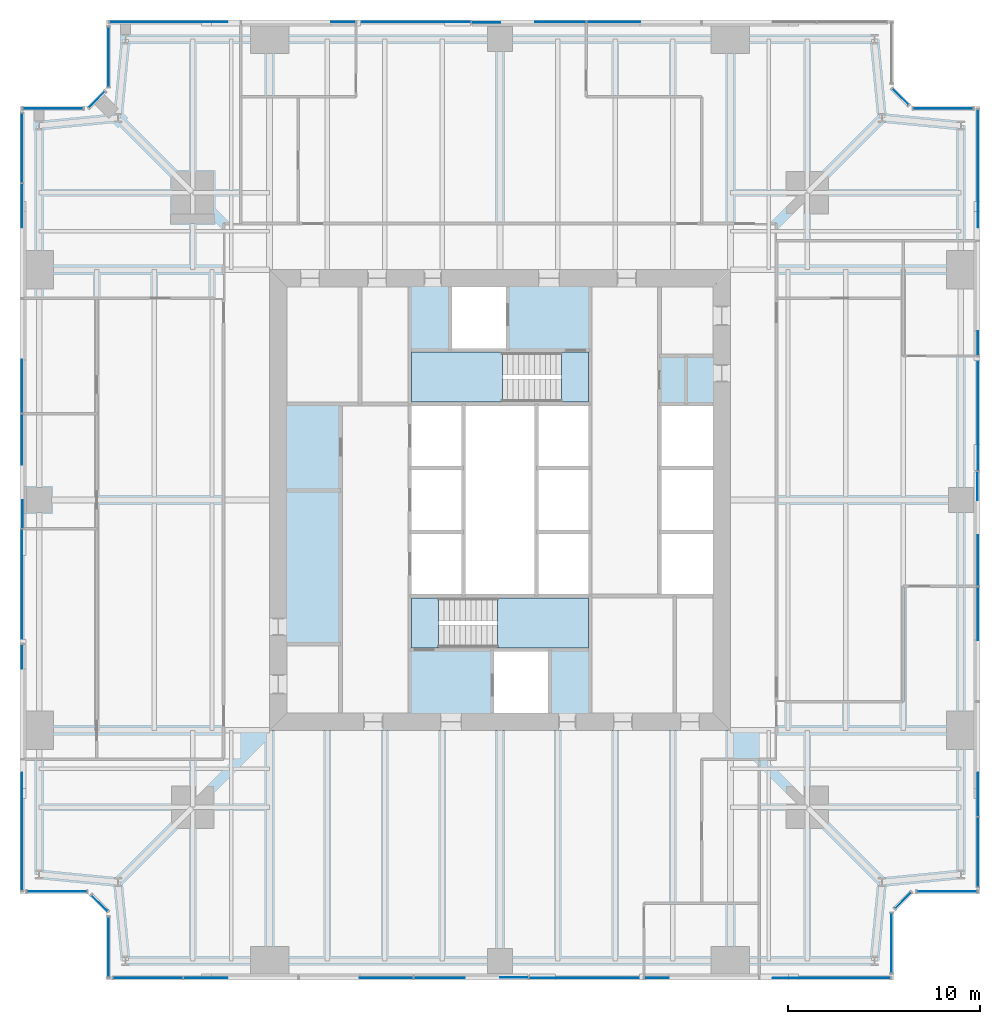
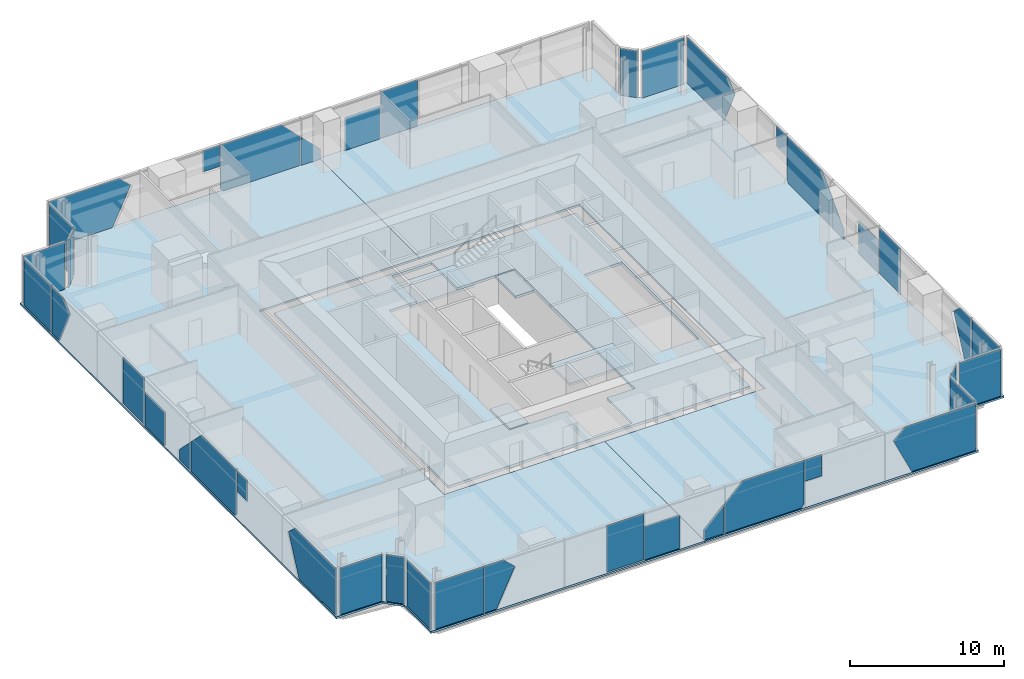
# One storey, part 8 of 13: 41 plates, 7 slabs, 17 elements without a shape of their own.
"""IFC4 building model written with IfcOpenShell, lengths in metres."""

from ifc_helpers import new_model, si_unit, direction, frame, origin, origin_2d, place, context, subcontext, project, spatial, polyline, rectangle, outline, extrude, material, layer, layer_set, type_object, element, aggregate, save


model = new_model("IFC4")

# Units and contexts
model_context = context("Model", 3, precision=1e-05, world=origin(), true_north=direction((0.0, 1.0)))
body_context = subcontext(model_context, "Body", "Model", "MODEL_VIEW")
ifc_project = project(units=[si_unit("LENGTHUNIT", "METRE"), si_unit("AREAUNIT", "SQUARE_METRE"), si_unit("VOLUMEUNIT", "CUBIC_METRE"), si_unit("PLANEANGLEUNIT", "RADIAN"), si_unit("MASSUNIT", "GRAM", prefix="KILO")], contexts=[model_context])

# Site, building, storey
site_placement = place(None, origin())
site = spatial("IfcSite", under=ifc_project, at=site_placement, CompositionType="ELEMENT")
building_placement = place(site_placement, origin())
building = spatial("IfcBuilding", under=site, at=building_placement, Name="Fenwick Lantern Interchange", CompositionType="ELEMENT")
storey_placement = place(building_placement, frame((0.0, 0.0, 158.39990234375)))
storey = spatial("IfcBuildingStorey", under=building, at=storey_placement, Name="L37", CompositionType="ELEMENT", Elevation=158.39990234375)

# Slabs
ifc_material_1 = material(Name="Concrete f'c 35 MPa", Category="concrete")
ifc_layer_1 = layer(ifc_material_1, 0.199951171875)
ifc_layer_set_1 = layer_set([ifc_layer_1], Name="CORE FLOOR SLAB 200")
slab_type_1 = type_object("IfcSlabType", Name="CORE FLOOR SLAB 200", PredefinedType="FLOOR", material=ifc_layer_set_1)
slab_1_placement = place(storey_placement, frame((0.0, 0.0, -0.199951171875)))
element("IfcSlab", 1, at=slab_1_placement, inside=storey, type_object=slab_type_1, Name="L37/SLAB/CORE", PredefinedType="FLOOR", context=body_context, shape_type="SweptSolid", body=[
    extrude(outline(polyline([(13.699951171875, 36.300048828125), (36.300048828125, 36.300048828125), (36.300048828125, 13.699951171875), (13.699951171875, 13.699951171875), (13.699951171875, 36.300048828125)]), holes=[polyline([(29.699951171875, 17.199951171875), (29.699951171875, 20.0), (29.699951171875, 23.333251953125), (29.699951171875, 26.666748046875), (29.699951171875, 30.0), (29.699951171875, 32.800048828125), (25.39990234375, 32.800048828125), (25.39990234375, 36.10009765625), (22.39990234375, 36.10009765625), (22.39990234375, 32.800048828125), (20.300048828125, 32.800048828125), (20.300048828125, 30.0), (20.300048828125, 26.666748046875), (20.300048828125, 23.333251953125), (20.300048828125, 20.0), (20.300048828125, 17.199951171875), (24.60009765625, 17.199951171875), (24.60009765625, 13.89990234375), (27.60009765625, 13.89990234375), (27.60009765625, 17.199951171875), (29.699951171875, 17.199951171875)]), polyline([(33.300048828125, 23.333251953125), (33.300048828125, 20.0), (36.10009765625, 20.0), (36.10009765625, 23.333251953125), (36.10009765625, 26.666748046875), (36.10009765625, 30.0), (33.300048828125, 30.0), (33.300048828125, 26.666748046875), (33.300048828125, 23.333251953125)])]), origin(), (0.0, 0.0, 1.0), 0.199951171875),
])
ifc_material_2 = material(Name="Concrete f'c 35 MPa", Category="concrete")
ifc_layer_2 = layer(ifc_material_2, 0.14990234375)
ifc_layer_set_2 = layer_set([ifc_layer_2], Name="Concrete f'c 35 MPa")
slab_type_2 = type_object("IfcSlabType", Name="FLOOR SLAB 150", PredefinedType="FLOOR", material=ifc_layer_set_2)
slab_2_placement = place(storey_placement, frame((0.0, 0.0, -0.14990234375)))
element("IfcSlab", 2, at=slab_2_placement, inside=storey, type_object=slab_type_2, Name="L37/SLAB/FW", PredefinedType="FLOOR", context=body_context, shape_type="SweptSolid", body=[
    extrude(outline(polyline([(4.5, 0.0), (4.5, 3.5), (3.5, 4.5), (0.0, 4.5), (0.0, 45.5), (3.5, 45.5), (4.5, 46.5), (4.5, 50.0), (25.0, 50.0), (25.0, 37.0), (13.0, 37.0), (13.0, 13.0), (25.0, 13.0), (25.0, 0.0), (4.5, 0.0)])), origin(), (0.0, 0.0, 1.0), 0.14990234375),
])
slab_3_placement = place(storey_placement, frame((0.0, 0.0, -0.14990234375)))
element("IfcSlab", 3, at=slab_3_placement, inside=storey, type_object=slab_type_2, Name="L37/SLAB/FE", PredefinedType="FLOOR", context=body_context, shape_type="SweptSolid", body=[
    extrude(outline(polyline([(45.5, 50.0), (45.5, 46.5), (46.5, 45.5), (50.0, 45.5), (50.0, 4.5), (46.5, 4.5), (45.5, 3.5), (45.5, 0.0), (25.0, 0.0), (25.0, 13.0), (37.0, 13.0), (37.0, 37.0), (25.0, 37.0), (25.0, 50.0), (45.5, 50.0)])), origin(), (0.0, 0.0, 1.0), 0.14990234375),
])

# Curtain wall, plates
ifc_material_3 = material(Name="Aluminium curtain wall frame", Category="aluminium")
curtain_wall_type = type_object("IfcCurtainWallType", Name="OFFICE CURTAIN WALL", PredefinedType="USERDEFINED", material=ifc_material_3)
curtain_wall_1_placement = place(storey_placement, origin())
curtain_wall_1 = element("IfcCurtainWall", 4, at=curtain_wall_1_placement, inside=storey, type_object=curtain_wall_type, Name="Office curtain wall 01", ObjectType="OFFICE CURTAIN WALL", PredefinedType="USERDEFINED")
ifc_material_4 = material(Name="Vision glass, clear low-iron double glazed", Category="glass")
ifc_layer_3 = layer(ifc_material_4, 0.031982421875)
ifc_layer_set_3 = layer_set([ifc_layer_3], Name="OFFICE CURTAIN WALL PANEL 32")
plate_type = type_object("IfcPlateType", Name="OFFICE CURTAIN WALL PANEL 32", PredefinedType="CURTAIN_PANEL", material=ifc_layer_set_3)
plate_1_placement = place(storey_placement, frame((6.666259765625, 0.10009765625, 0.0), z_axis=(0.0, 0.0, 1.0), x_axis=(1.0, 0.0, 0.0)))
plate_1 = element("IfcPlate", 5, at=plate_1_placement, type_object=plate_type, Name="L37/CW/01/P00", PredefinedType="CURTAIN_PANEL", context=body_context, shape_type="SweptSolid", body=[
    extrude(rectangle(XDim=3.6025390625, YDim=0.031982421875, at=origin_2d()), origin(), (0.0, 0.0, 1.0), 3.699951171875),
])
plate_2_placement = place(storey_placement, frame((4.60009765625, 0.10009765625, 0.0), z_axis=(0.0, 0.0, 1.0), x_axis=(1.0, 0.0, 0.0)))
plate_2 = element("IfcPlate", 6, at=plate_2_placement, type_object=plate_type, Name="L37/CW/01/P01a", PredefinedType="CURTAIN_PANEL", context=body_context, shape_type="SweptSolid", body=[
    extrude(outline(polyline([(3.9326171875, 0.0), (4.861328125, 0.0), (6.2314453125, 2.902099609375), (5.366943359375, 3.7001953125), (3.9326171875, 3.7001953125), (3.9326171875, 0.0)])), frame((0.0, 0.01611328125, 0.0), z_axis=(0.0, -1.0, 0.0), x_axis=(1.0, 0.0, 0.0)), (0.0, 0.0, 1.0), 0.031982421875),
])
plate_3_placement = place(storey_placement, frame((4.60009765625, 0.10009765625, 0.037109375), z_axis=(0.0, 0.0, 1.0), x_axis=(1.0, 0.0, 0.0)))
plate_3 = element("IfcPlate", 7, at=plate_3_placement, type_object=plate_type, Name="L37/CW/01/P02a", PredefinedType="CURTAIN_PANEL", context=body_context, shape_type="SweptSolid", body=[
    extrude(outline(polyline([(13.10498046875, 0.0), (15.867431640625, 0.0), (15.867431640625, 3.6630859375), (13.10498046875, 3.6630859375), (13.10498046875, 0.0)])), frame((0.0, 0.01611328125, 0.0), z_axis=(0.0, -1.0, 0.0), x_axis=(1.0, 0.0, 0.0)), (0.0, 0.0, 1.0), 0.031982421875),
])
plate_4_placement = place(storey_placement, frame((4.60009765625, 0.10009765625, 0.0), z_axis=(0.0, 0.0, 1.0), x_axis=(1.0, 0.0, 0.0)))
plate_4 = element("IfcPlate", 8, at=plate_4_placement, type_object=plate_type, Name="L37/CW/01/P03a", PredefinedType="CURTAIN_PANEL", context=body_context, shape_type="SweptSolid", body=[
    extrude(outline(polyline([(15.9326171875, 0.0), (18.5673828125, 0.0), (18.5673828125, 2.636962890625), (15.9326171875, 2.636962890625), (15.9326171875, 0.0)])), frame((0.0, 0.01611328125, 0.0), z_axis=(0.0, -1.0, 0.0), x_axis=(1.0, 0.0, 0.0)), (0.0, 0.0, 1.0), 0.031982421875),
])
plate_5_placement = place(storey_placement, frame((4.60009765625, 0.10009765625, 0.0), z_axis=(0.0, 0.0, 1.0), x_axis=(1.0, 0.0, 0.0)))
plate_5 = element("IfcPlate", 9, at=plate_5_placement, type_object=plate_type, Name="L37/CW/01/P03b", PredefinedType="CURTAIN_PANEL", context=body_context, shape_type="SweptSolid", body=[
    extrude(outline(polyline([(20.39990234375, 0.0), (21.867431640625, 0.0), (21.867431640625, 2.27197265625), (20.39990234375, 0.804443359375), (20.39990234375, 0.0)])), frame((0.0, 0.0498046875, 0.0), z_axis=(0.0, -1.0, 0.0), x_axis=(1.0, 0.0, 0.0)), (0.0, 0.0, 1.0), 0.031982421875),
])
plate_6_placement = place(storey_placement, frame((4.60009765625, 0.10009765625, 0.0), z_axis=(0.0, 0.0, 1.0), x_axis=(1.0, 0.0, 0.0)))
plate_6 = element("IfcPlate", 10, at=plate_6_placement, type_object=plate_type, Name="L37/CW/01/P04a", PredefinedType="CURTAIN_PANEL", context=body_context, shape_type="SweptSolid", body=[
    extrude(outline(polyline([(21.9326171875, 0.0), (27.6669921875, 0.0), (27.867431640625, 0.265380859375), (27.867431640625, 3.7001953125), (23.295654296875, 3.7001953125), (21.9326171875, 2.3369140625), (21.9326171875, 0.0)])), frame((0.0, 0.01611328125, 0.0), z_axis=(0.0, -1.0, 0.0), x_axis=(1.0, 0.0, 0.0)), (0.0, 0.0, 1.0), 0.031982421875),
])
plate_7_placement = place(storey_placement, frame((4.60009765625, 0.10009765625, 2.026123046875), z_axis=(0.0, 0.0, 1.0), x_axis=(1.0, 0.0, 0.0)))
plate_7 = element("IfcPlate", 11, at=plate_7_placement, type_object=plate_type, Name="L37/CW/01/P05a", PredefinedType="CURTAIN_PANEL", context=body_context, shape_type="SweptSolid", body=[
    extrude(outline(polyline([(27.9326171875, 0.0), (29.197509765625, 0.0), (29.197509765625, 1.674072265625), (27.9326171875, 1.674072265625), (27.9326171875, 0.0)])), frame((0.0, 0.01611328125, 0.0), z_axis=(0.0, -1.0, 0.0), x_axis=(1.0, 0.0, 0.0)), (0.0, 0.0, 1.0), 0.031982421875),
])
plate_8_placement = place(storey_placement, frame((4.60009765625, 0.10009765625, 0.0), z_axis=(0.0, 0.0, 1.0), x_axis=(1.0, 0.0, 0.0)))
plate_8 = element("IfcPlate", 12, at=plate_8_placement, type_object=plate_type, Name="L37/CW/01/P06a", PredefinedType="CURTAIN_PANEL", context=body_context, shape_type="SweptSolid", body=[
    extrude(outline(polyline([(35.938720703125, 0.0), (40.735107421875, 0.0), (40.735107421875, 3.7001953125), (35.432861328125, 3.7001953125), (34.568603515625, 2.902099609375), (35.938720703125, 0.0)])), frame((0.0, 0.01611328125, 0.0), z_axis=(0.0, -1.0, 0.0), x_axis=(1.0, 0.0, 0.0)), (0.0, 0.0, 1.0), 0.031982421875),
])
aggregate(curtain_wall_1, [plate_1, plate_2, plate_3, plate_4, plate_5, plate_6, plate_7, plate_8])

# Curtain wall, plate
curtain_wall_2_placement = place(storey_placement, origin())
curtain_wall_2 = element("IfcCurtainWall", 13, at=curtain_wall_2_placement, inside=storey, type_object=curtain_wall_type, Name="Office curtain wall 02", ObjectType="OFFICE CURTAIN WALL", PredefinedType="USERDEFINED")
plate_9_placement = place(storey_placement, frame((45.39990234375, 1.920654296875, 0.0), z_axis=(0.0, 0.0, 1.0), x_axis=(0.0, 1.0, 0.0)))
plate_9 = element("IfcPlate", 14, at=plate_9_placement, type_object=plate_type, Name="L37/CW/02/P00", PredefinedType="CURTAIN_PANEL", context=body_context, shape_type="SweptSolid", body=[
    extrude(rectangle(XDim=3.111328125, YDim=0.031982421875, at=origin_2d()), origin(), (0.0, 0.0, 1.0), 3.699951171875),
])
aggregate(curtain_wall_2, [plate_9])

curtain_wall_3_placement = place(storey_placement, origin())
curtain_wall_3 = element("IfcCurtainWall", 15, at=curtain_wall_3_placement, inside=storey, type_object=curtain_wall_type, Name="Office curtain wall 03", ObjectType="OFFICE CURTAIN WALL", PredefinedType="USERDEFINED")
plate_10_placement = place(storey_placement, frame((46.0, 4.141357421875, 0.0), z_axis=(0.0, 0.0, 1.0), x_axis=(0.707106781187, 0.707106781187, 0.0)))
plate_10 = element("IfcPlate", 16, at=plate_10_placement, type_object=plate_type, Name="L37/CW/03/P00", PredefinedType="CURTAIN_PANEL", context=body_context, shape_type="SweptSolid", body=[
    extrude(rectangle(XDim=1.1669921875, YDim=0.031982421875, at=origin_2d()), origin(), (0.0, 0.0, 1.0), 3.699951171875),
])
aggregate(curtain_wall_3, [plate_10])

curtain_wall_4_placement = place(storey_placement, origin())
curtain_wall_4 = element("IfcCurtainWall", 17, at=curtain_wall_4_placement, inside=storey, type_object=curtain_wall_type, Name="Office curtain wall 04", ObjectType="OFFICE CURTAIN WALL", PredefinedType="USERDEFINED")
plate_11_placement = place(storey_placement, frame((48.279296875, 4.60009765625, 0.0), z_axis=(0.0, 0.0, 1.0), x_axis=(1.0, 0.0, 0.0)))
plate_11 = element("IfcPlate", 18, at=plate_11_placement, type_object=plate_type, Name="L37/CW/04/P00", PredefinedType="CURTAIN_PANEL", context=body_context, shape_type="SweptSolid", body=[
    extrude(rectangle(XDim=3.111328125, YDim=0.031982421875, at=origin_2d()), origin(), (0.0, 0.0, 1.0), 3.699951171875),
])
aggregate(curtain_wall_4, [plate_11])

# Curtain wall, plates
curtain_wall_5_placement = place(storey_placement, origin())
curtain_wall_5 = element("IfcCurtainWall", 19, at=curtain_wall_5_placement, inside=storey, type_object=curtain_wall_type, Name="Office curtain wall 05", ObjectType="OFFICE CURTAIN WALL", PredefinedType="USERDEFINED")
plate_12_placement = place(storey_placement, frame((49.89990234375, 6.666259765625, 0.0), z_axis=(0.0, 0.0, 1.0), x_axis=(0.0, 1.0, 0.0)))
plate_12 = element("IfcPlate", 20, at=plate_12_placement, type_object=plate_type, Name="L37/CW/05/P00", PredefinedType="CURTAIN_PANEL", context=body_context, shape_type="SweptSolid", body=[
    extrude(rectangle(XDim=3.6025390625, YDim=0.031982421875, at=origin_2d()), origin(), (0.0, 0.0, 1.0), 3.699951171875),
])
plate_13_placement = place(storey_placement, frame((49.89990234375, 4.60009765625, 0.0), z_axis=(0.0, 0.0, 1.0), x_axis=(0.0, 1.0, 0.0)))
plate_13 = element("IfcPlate", 21, at=plate_13_placement, type_object=plate_type, Name="L37/CW/05/P01a", PredefinedType="CURTAIN_PANEL", context=body_context, shape_type="SweptSolid", body=[
    extrude(outline(polyline([(3.9326171875, 0.0), (4.861328125, 0.0), (6.2314453125, 2.902099609375), (5.366943359375, 3.7001953125), (3.9326171875, 3.7001953125), (3.9326171875, 0.0)])), frame((0.0, 0.01611328125, 0.0), z_axis=(0.0, -1.0, 0.0), x_axis=(1.0, 0.0, 0.0)), (0.0, 0.0, 1.0), 0.031982421875),
])
plate_14_placement = place(storey_placement, frame((49.89990234375, 4.60009765625, 0.037109375), z_axis=(0.0, 0.0, 1.0), x_axis=(0.0, 1.0, 0.0)))
plate_14 = element("IfcPlate", 22, at=plate_14_placement, type_object=plate_type, Name="L37/CW/05/P02a", PredefinedType="CURTAIN_PANEL", context=body_context, shape_type="SweptSolid", body=[
    extrude(outline(polyline([(13.10498046875, 0.0), (15.867431640625, 0.0), (15.867431640625, 3.6630859375), (13.10498046875, 3.6630859375), (13.10498046875, 0.0)])), frame((0.0, 0.01611328125, 0.0), z_axis=(0.0, -1.0, 0.0), x_axis=(1.0, 0.0, 0.0)), (0.0, 0.0, 1.0), 0.031982421875),
])
plate_15_placement = place(storey_placement, frame((49.89990234375, 4.60009765625, 0.0), z_axis=(0.0, 0.0, 1.0), x_axis=(0.0, 1.0, 0.0)))
plate_15 = element("IfcPlate", 23, at=plate_15_placement, type_object=plate_type, Name="L37/CW/05/P03a", PredefinedType="CURTAIN_PANEL", context=body_context, shape_type="SweptSolid", body=[
    extrude(outline(polyline([(15.9326171875, 0.0), (18.5673828125, 0.0), (18.5673828125, 2.636962890625), (15.9326171875, 2.636962890625), (15.9326171875, 0.0)])), frame((0.0, 0.01611328125, 0.0), z_axis=(0.0, -1.0, 0.0), x_axis=(1.0, 0.0, 0.0)), (0.0, 0.0, 1.0), 0.031982421875),
])
plate_16_placement = place(storey_placement, frame((49.89990234375, 4.60009765625, 0.0), z_axis=(0.0, 0.0, 1.0), x_axis=(0.0, 1.0, 0.0)))
plate_16 = element("IfcPlate", 24, at=plate_16_placement, type_object=plate_type, Name="L37/CW/05/P03b", PredefinedType="CURTAIN_PANEL", context=body_context, shape_type="SweptSolid", body=[
    extrude(outline(polyline([(20.39990234375, 0.0), (21.867431640625, 0.0), (21.867431640625, 2.27197265625), (20.39990234375, 0.804443359375), (20.39990234375, 0.0)])), frame((0.0, 0.0498046875, 0.0), z_axis=(0.0, -1.0, 0.0), x_axis=(1.0, 0.0, 0.0)), (0.0, 0.0, 1.0), 0.031982421875),
])
plate_17_placement = place(storey_placement, frame((49.89990234375, 4.60009765625, 0.0), z_axis=(0.0, 0.0, 1.0), x_axis=(0.0, 1.0, 0.0)))
plate_17 = element("IfcPlate", 25, at=plate_17_placement, type_object=plate_type, Name="L37/CW/05/P04a", PredefinedType="CURTAIN_PANEL", context=body_context, shape_type="SweptSolid", body=[
    extrude(outline(polyline([(21.9326171875, 0.0), (27.6669921875, 0.0), (27.867431640625, 0.265380859375), (27.867431640625, 3.7001953125), (23.295654296875, 3.7001953125), (21.9326171875, 2.3369140625), (21.9326171875, 0.0)])), frame((0.0, 0.01611328125, 0.0), z_axis=(0.0, -1.0, 0.0), x_axis=(1.0, 0.0, 0.0)), (0.0, 0.0, 1.0), 0.031982421875),
])
plate_18_placement = place(storey_placement, frame((49.89990234375, 4.60009765625, 2.026123046875), z_axis=(0.0, 0.0, 1.0), x_axis=(0.0, 1.0, 0.0)))
plate_18 = element("IfcPlate", 26, at=plate_18_placement, type_object=plate_type, Name="L37/CW/05/P05a", PredefinedType="CURTAIN_PANEL", context=body_context, shape_type="SweptSolid", body=[
    extrude(outline(polyline([(27.9326171875, 0.0), (29.197509765625, 0.0), (29.197509765625, 1.674072265625), (27.9326171875, 1.674072265625), (27.9326171875, 0.0)])), frame((0.0, 0.01611328125, 0.0), z_axis=(0.0, -1.0, 0.0), x_axis=(1.0, 0.0, 0.0)), (0.0, 0.0, 1.0), 0.031982421875),
])
plate_19_placement = place(storey_placement, frame((49.89990234375, 4.60009765625, 0.0), z_axis=(0.0, 0.0, 1.0), x_axis=(0.0, 1.0, 0.0)))
plate_19 = element("IfcPlate", 27, at=plate_19_placement, type_object=plate_type, Name="L37/CW/05/P06a", PredefinedType="CURTAIN_PANEL", context=body_context, shape_type="SweptSolid", body=[
    extrude(outline(polyline([(35.938720703125, 0.0), (40.735107421875, 0.0), (40.735107421875, 3.7001953125), (35.432861328125, 3.7001953125), (34.568603515625, 2.902099609375), (35.938720703125, 0.0)])), frame((0.0, 0.01611328125, 0.0), z_axis=(0.0, -1.0, 0.0), x_axis=(1.0, 0.0, 0.0)), (0.0, 0.0, 1.0), 0.031982421875),
])
aggregate(curtain_wall_5, [plate_12, plate_13, plate_14, plate_15, plate_16, plate_17, plate_18, plate_19])

# Curtain wall, plate
curtain_wall_6_placement = place(storey_placement, origin())
curtain_wall_6 = element("IfcCurtainWall", 28, at=curtain_wall_6_placement, inside=storey, type_object=curtain_wall_type, Name="Office curtain wall 06", ObjectType="OFFICE CURTAIN WALL", PredefinedType="USERDEFINED")
plate_20_placement = place(storey_placement, frame((48.079345703125, 45.39990234375, 0.0), z_axis=(0.0, 0.0, 1.0), x_axis=(-1.0, 0.0, 0.0)))
plate_20 = element("IfcPlate", 29, at=plate_20_placement, type_object=plate_type, Name="L37/CW/06/P00", PredefinedType="CURTAIN_PANEL", context=body_context, shape_type="SweptSolid", body=[
    extrude(rectangle(XDim=3.111328125, YDim=0.031982421875, at=origin_2d()), origin(), (0.0, 0.0, 1.0), 3.699951171875),
])
aggregate(curtain_wall_6, [plate_20])

curtain_wall_7_placement = place(storey_placement, origin())
curtain_wall_7 = element("IfcCurtainWall", 30, at=curtain_wall_7_placement, inside=storey, type_object=curtain_wall_type, Name="Office curtain wall 07", ObjectType="OFFICE CURTAIN WALL", PredefinedType="USERDEFINED")
plate_21_placement = place(storey_placement, frame((45.858642578125, 46.0, 0.0), z_axis=(0.0, 0.0, 1.0), x_axis=(-0.707106781187, 0.707106781187, 0.0)))
plate_21 = element("IfcPlate", 31, at=plate_21_placement, type_object=plate_type, Name="L37/CW/07/P00", PredefinedType="CURTAIN_PANEL", context=body_context, shape_type="SweptSolid", body=[
    extrude(rectangle(XDim=1.1669921875, YDim=0.031982421875, at=origin_2d()), origin(), (0.0, 0.0, 1.0), 3.699951171875),
])
aggregate(curtain_wall_7, [plate_21])

# Curtain wall, plates
curtain_wall_8_placement = place(storey_placement, origin())
curtain_wall_8 = element("IfcCurtainWall", 32, at=curtain_wall_8_placement, inside=storey, type_object=curtain_wall_type, Name="Office curtain wall 09", ObjectType="OFFICE CURTAIN WALL", PredefinedType="USERDEFINED")
plate_22_placement = place(storey_placement, frame((45.39990234375, 49.89990234375, 0.037109375), z_axis=(0.0, 0.0, 1.0), x_axis=(-1.0, 0.0, 0.0)))
plate_22 = element("IfcPlate", 33, at=plate_22_placement, type_object=plate_type, Name="L37/CW/09/P02a", PredefinedType="CURTAIN_PANEL", context=body_context, shape_type="SweptSolid", body=[
    extrude(outline(polyline([(13.10498046875, 0.0), (15.867431640625, 0.0), (15.867431640625, 3.6630859375), (13.10498046875, 3.6630859375), (13.10498046875, 0.0)])), frame((0.0, 0.01611328125, 0.0), z_axis=(0.0, -1.0, 0.0), x_axis=(1.0, 0.0, 0.0)), (0.0, 0.0, 1.0), 0.031982421875),
])
plate_23_placement = place(storey_placement, frame((45.39990234375, 49.89990234375, 0.0), z_axis=(0.0, 0.0, 1.0), x_axis=(-1.0, 0.0, 0.0)))
plate_23 = element("IfcPlate", 34, at=plate_23_placement, type_object=plate_type, Name="L37/CW/09/P03a", PredefinedType="CURTAIN_PANEL", context=body_context, shape_type="SweptSolid", body=[
    extrude(outline(polyline([(15.9326171875, 0.0), (18.5673828125, 0.0), (18.5673828125, 2.636962890625), (15.9326171875, 2.636962890625), (15.9326171875, 0.0)])), frame((0.0, 0.01611328125, 0.0), z_axis=(0.0, -1.0, 0.0), x_axis=(1.0, 0.0, 0.0)), (0.0, 0.0, 1.0), 0.031982421875),
])
plate_24_placement = place(storey_placement, frame((45.39990234375, 49.89990234375, 0.0), z_axis=(0.0, 0.0, 1.0), x_axis=(-1.0, 0.0, 0.0)))
plate_24 = element("IfcPlate", 35, at=plate_24_placement, type_object=plate_type, Name="L37/CW/09/P03b", PredefinedType="CURTAIN_PANEL", context=body_context, shape_type="SweptSolid", body=[
    extrude(outline(polyline([(20.39990234375, 0.0), (21.867431640625, 0.0), (21.867431640625, 2.27197265625), (20.39990234375, 0.804443359375), (20.39990234375, 0.0)])), frame((0.0, 0.0498046875, 0.0), z_axis=(0.0, -1.0, 0.0), x_axis=(1.0, 0.0, 0.0)), (0.0, 0.0, 1.0), 0.031982421875),
])
plate_25_placement = place(storey_placement, frame((45.39990234375, 49.89990234375, 0.0), z_axis=(0.0, 0.0, 1.0), x_axis=(-1.0, 0.0, 0.0)))
plate_25 = element("IfcPlate", 36, at=plate_25_placement, type_object=plate_type, Name="L37/CW/09/P04a", PredefinedType="CURTAIN_PANEL", context=body_context, shape_type="SweptSolid", body=[
    extrude(outline(polyline([(21.9326171875, 0.0), (27.6669921875, 0.0), (27.867431640625, 0.265380859375), (27.867431640625, 3.7001953125), (23.295654296875, 3.7001953125), (21.9326171875, 2.3369140625), (21.9326171875, 0.0)])), frame((0.0, 0.01611328125, 0.0), z_axis=(0.0, -1.0, 0.0), x_axis=(1.0, 0.0, 0.0)), (0.0, 0.0, 1.0), 0.031982421875),
])
plate_26_placement = place(storey_placement, frame((45.39990234375, 49.89990234375, 2.026123046875), z_axis=(0.0, 0.0, 1.0), x_axis=(-1.0, 0.0, 0.0)))
plate_26 = element("IfcPlate", 37, at=plate_26_placement, type_object=plate_type, Name="L37/CW/09/P05a", PredefinedType="CURTAIN_PANEL", context=body_context, shape_type="SweptSolid", body=[
    extrude(outline(polyline([(27.9326171875, 0.0), (29.197509765625, 0.0), (29.197509765625, 1.674072265625), (27.9326171875, 1.674072265625), (27.9326171875, 0.0)])), frame((0.0, 0.01611328125, 0.0), z_axis=(0.0, -1.0, 0.0), x_axis=(1.0, 0.0, 0.0)), (0.0, 0.0, 1.0), 0.031982421875),
])
plate_27_placement = place(storey_placement, frame((45.39990234375, 49.89990234375, 0.0), z_axis=(0.0, 0.0, 1.0), x_axis=(-1.0, 0.0, 0.0)))
plate_27 = element("IfcPlate", 38, at=plate_27_placement, type_object=plate_type, Name="L37/CW/09/P06a", PredefinedType="CURTAIN_PANEL", context=body_context, shape_type="SweptSolid", body=[
    extrude(outline(polyline([(35.938720703125, 0.0), (40.735107421875, 0.0), (40.735107421875, 3.7001953125), (35.432861328125, 3.7001953125), (34.568603515625, 2.902099609375), (35.938720703125, 0.0)])), frame((0.0, 0.01611328125, 0.0), z_axis=(0.0, -1.0, 0.0), x_axis=(1.0, 0.0, 0.0)), (0.0, 0.0, 1.0), 0.031982421875),
])
aggregate(curtain_wall_8, [plate_22, plate_23, plate_24, plate_25, plate_26, plate_27])

# Curtain wall, plate
curtain_wall_9_placement = place(storey_placement, origin())
curtain_wall_9 = element("IfcCurtainWall", 39, at=curtain_wall_9_placement, inside=storey, type_object=curtain_wall_type, Name="Office curtain wall 10", ObjectType="OFFICE CURTAIN WALL", PredefinedType="USERDEFINED")
plate_28_placement = place(storey_placement, frame((4.60009765625, 48.079345703125, 0.0), z_axis=(0.0, 0.0, 1.0), x_axis=(0.0, -1.0, 0.0)))
plate_28 = element("IfcPlate", 40, at=plate_28_placement, type_object=plate_type, Name="L37/CW/10/P00", PredefinedType="CURTAIN_PANEL", context=body_context, shape_type="SweptSolid", body=[
    extrude(rectangle(XDim=3.111328125, YDim=0.031982421875, at=origin_2d()), origin(), (0.0, 0.0, 1.0), 3.699951171875),
])
aggregate(curtain_wall_9, [plate_28])

curtain_wall_10_placement = place(storey_placement, origin())
curtain_wall_10 = element("IfcCurtainWall", 41, at=curtain_wall_10_placement, inside=storey, type_object=curtain_wall_type, Name="Office curtain wall 11", ObjectType="OFFICE CURTAIN WALL", PredefinedType="USERDEFINED")
plate_29_placement = place(storey_placement, frame((4.0, 45.858642578125, 0.0), z_axis=(0.0, 0.0, 1.0), x_axis=(-0.707106781187, -0.707106781187, 0.0)))
plate_29 = element("IfcPlate", 42, at=plate_29_placement, type_object=plate_type, Name="L37/CW/11/P00", PredefinedType="CURTAIN_PANEL", context=body_context, shape_type="SweptSolid", body=[
    extrude(rectangle(XDim=1.1669921875, YDim=0.031982421875, at=origin_2d()), origin(), (0.0, 0.0, 1.0), 3.699951171875),
])
aggregate(curtain_wall_10, [plate_29])

curtain_wall_11_placement = place(storey_placement, origin())
curtain_wall_11 = element("IfcCurtainWall", 43, at=curtain_wall_11_placement, inside=storey, type_object=curtain_wall_type, Name="Office curtain wall 12", ObjectType="OFFICE CURTAIN WALL", PredefinedType="USERDEFINED")
plate_30_placement = place(storey_placement, frame((1.720703125, 45.39990234375, 0.0), z_axis=(0.0, 0.0, 1.0), x_axis=(-1.0, 0.0, 0.0)))
plate_30 = element("IfcPlate", 44, at=plate_30_placement, type_object=plate_type, Name="L37/CW/12/P00", PredefinedType="CURTAIN_PANEL", context=body_context, shape_type="SweptSolid", body=[
    extrude(rectangle(XDim=3.111328125, YDim=0.031982421875, at=origin_2d()), origin(), (0.0, 0.0, 1.0), 3.699951171875),
])
aggregate(curtain_wall_11, [plate_30])

# Curtain wall, plates
curtain_wall_12_placement = place(storey_placement, origin())
curtain_wall_12 = element("IfcCurtainWall", 45, at=curtain_wall_12_placement, inside=storey, type_object=curtain_wall_type, Name="Office curtain wall 13", ObjectType="OFFICE CURTAIN WALL", PredefinedType="USERDEFINED")
plate_31_placement = place(storey_placement, frame((0.10009765625, 43.333740234375, 0.0), z_axis=(0.0, 0.0, 1.0), x_axis=(0.0, -1.0, 0.0)))
plate_31 = element("IfcPlate", 46, at=plate_31_placement, type_object=plate_type, Name="L37/CW/13/P00", PredefinedType="CURTAIN_PANEL", context=body_context, shape_type="SweptSolid", body=[
    extrude(rectangle(XDim=3.6025390625, YDim=0.031982421875, at=origin_2d()), origin(), (0.0, 0.0, 1.0), 3.699951171875),
])
plate_32_placement = place(storey_placement, frame((0.10009765625, 45.39990234375, 0.0), z_axis=(0.0, 0.0, 1.0), x_axis=(0.0, -1.0, 0.0)))
plate_32 = element("IfcPlate", 47, at=plate_32_placement, type_object=plate_type, Name="L37/CW/13/P01a", PredefinedType="CURTAIN_PANEL", context=body_context, shape_type="SweptSolid", body=[
    extrude(outline(polyline([(3.9326171875, 0.0), (4.861328125, 0.0), (6.2314453125, 2.902099609375), (5.366943359375, 3.7001953125), (3.9326171875, 3.7001953125), (3.9326171875, 0.0)])), frame((0.0, 0.01611328125, 0.0), z_axis=(0.0, -1.0, 0.0), x_axis=(1.0, 0.0, 0.0)), (0.0, 0.0, 1.0), 0.031982421875),
])
plate_33_placement = place(storey_placement, frame((0.10009765625, 45.39990234375, 0.037109375), z_axis=(0.0, 0.0, 1.0), x_axis=(0.0, -1.0, 0.0)))
plate_33 = element("IfcPlate", 48, at=plate_33_placement, type_object=plate_type, Name="L37/CW/13/P02a", PredefinedType="CURTAIN_PANEL", context=body_context, shape_type="SweptSolid", body=[
    extrude(outline(polyline([(13.10498046875, 0.0), (15.867431640625, 0.0), (15.867431640625, 3.6630859375), (13.10498046875, 3.6630859375), (13.10498046875, 0.0)])), frame((0.0, 0.01611328125, 0.0), z_axis=(0.0, -1.0, 0.0), x_axis=(1.0, 0.0, 0.0)), (0.0, 0.0, 1.0), 0.031982421875),
])
plate_34_placement = place(storey_placement, frame((0.10009765625, 45.39990234375, 0.0), z_axis=(0.0, 0.0, 1.0), x_axis=(0.0, -1.0, 0.0)))
plate_34 = element("IfcPlate", 49, at=plate_34_placement, type_object=plate_type, Name="L37/CW/13/P03a", PredefinedType="CURTAIN_PANEL", context=body_context, shape_type="SweptSolid", body=[
    extrude(outline(polyline([(15.9326171875, 0.0), (18.5673828125, 0.0), (18.5673828125, 2.636962890625), (15.9326171875, 2.636962890625), (15.9326171875, 0.0)])), frame((0.0, 0.01611328125, 0.0), z_axis=(0.0, -1.0, 0.0), x_axis=(1.0, 0.0, 0.0)), (0.0, 0.0, 1.0), 0.031982421875),
])
plate_35_placement = place(storey_placement, frame((0.10009765625, 45.39990234375, 0.0), z_axis=(0.0, 0.0, 1.0), x_axis=(0.0, -1.0, 0.0)))
plate_35 = element("IfcPlate", 50, at=plate_35_placement, type_object=plate_type, Name="L37/CW/13/P03b", PredefinedType="CURTAIN_PANEL", context=body_context, shape_type="SweptSolid", body=[
    extrude(outline(polyline([(20.39990234375, 0.0), (21.867431640625, 0.0), (21.867431640625, 2.27197265625), (20.39990234375, 0.804443359375), (20.39990234375, 0.0)])), frame((0.0, 0.0498046875, 0.0), z_axis=(0.0, -1.0, 0.0), x_axis=(1.0, 0.0, 0.0)), (0.0, 0.0, 1.0), 0.031982421875),
])
plate_36_placement = place(storey_placement, frame((0.10009765625, 45.39990234375, 0.0), z_axis=(0.0, 0.0, 1.0), x_axis=(0.0, -1.0, 0.0)))
plate_36 = element("IfcPlate", 51, at=plate_36_placement, type_object=plate_type, Name="L37/CW/13/P04a", PredefinedType="CURTAIN_PANEL", context=body_context, shape_type="SweptSolid", body=[
    extrude(outline(polyline([(21.9326171875, 0.0), (27.6669921875, 0.0), (27.867431640625, 0.265380859375), (27.867431640625, 3.7001953125), (23.295654296875, 3.7001953125), (21.9326171875, 2.3369140625), (21.9326171875, 0.0)])), frame((0.0, 0.01611328125, 0.0), z_axis=(0.0, -1.0, 0.0), x_axis=(1.0, 0.0, 0.0)), (0.0, 0.0, 1.0), 0.031982421875),
])
plate_37_placement = place(storey_placement, frame((0.10009765625, 45.39990234375, 2.026123046875), z_axis=(0.0, 0.0, 1.0), x_axis=(0.0, -1.0, 0.0)))
plate_37 = element("IfcPlate", 52, at=plate_37_placement, type_object=plate_type, Name="L37/CW/13/P05a", PredefinedType="CURTAIN_PANEL", context=body_context, shape_type="SweptSolid", body=[
    extrude(outline(polyline([(27.9326171875, 0.0), (29.197509765625, 0.0), (29.197509765625, 1.674072265625), (27.9326171875, 1.674072265625), (27.9326171875, 0.0)])), frame((0.0, 0.01611328125, 0.0), z_axis=(0.0, -1.0, 0.0), x_axis=(1.0, 0.0, 0.0)), (0.0, 0.0, 1.0), 0.031982421875),
])
plate_38_placement = place(storey_placement, frame((0.10009765625, 45.39990234375, 0.0), z_axis=(0.0, 0.0, 1.0), x_axis=(0.0, -1.0, 0.0)))
plate_38 = element("IfcPlate", 53, at=plate_38_placement, type_object=plate_type, Name="L37/CW/13/P06a", PredefinedType="CURTAIN_PANEL", context=body_context, shape_type="SweptSolid", body=[
    extrude(outline(polyline([(35.938720703125, 0.0), (40.735107421875, 0.0), (40.735107421875, 3.7001953125), (35.432861328125, 3.7001953125), (34.568603515625, 2.902099609375), (35.938720703125, 0.0)])), frame((0.0, 0.01611328125, 0.0), z_axis=(0.0, -1.0, 0.0), x_axis=(1.0, 0.0, 0.0)), (0.0, 0.0, 1.0), 0.031982421875),
])
aggregate(curtain_wall_12, [plate_31, plate_32, plate_33, plate_34, plate_35, plate_36, plate_37, plate_38])

# Curtain wall, plate
curtain_wall_13_placement = place(storey_placement, origin())
curtain_wall_13 = element("IfcCurtainWall", 54, at=curtain_wall_13_placement, inside=storey, type_object=curtain_wall_type, Name="Office curtain wall 14", ObjectType="OFFICE CURTAIN WALL", PredefinedType="USERDEFINED")
plate_39_placement = place(storey_placement, frame((1.920654296875, 4.60009765625, 0.0), z_axis=(0.0, 0.0, 1.0), x_axis=(1.0, 0.0, 0.0)))
plate_39 = element("IfcPlate", 55, at=plate_39_placement, type_object=plate_type, Name="L37/CW/14/P00", PredefinedType="CURTAIN_PANEL", context=body_context, shape_type="SweptSolid", body=[
    extrude(rectangle(XDim=3.111328125, YDim=0.031982421875, at=origin_2d()), origin(), (0.0, 0.0, 1.0), 3.699951171875),
])
aggregate(curtain_wall_13, [plate_39])

curtain_wall_14_placement = place(storey_placement, origin())
curtain_wall_14 = element("IfcCurtainWall", 56, at=curtain_wall_14_placement, inside=storey, type_object=curtain_wall_type, Name="Office curtain wall 15", ObjectType="OFFICE CURTAIN WALL", PredefinedType="USERDEFINED")
plate_40_placement = place(storey_placement, frame((4.141357421875, 4.0, 0.0), z_axis=(0.0, 0.0, 1.0), x_axis=(0.707106781187, -0.707106781187, 0.0)))
plate_40 = element("IfcPlate", 57, at=plate_40_placement, type_object=plate_type, Name="L37/CW/15/P00", PredefinedType="CURTAIN_PANEL", context=body_context, shape_type="SweptSolid", body=[
    extrude(rectangle(XDim=1.1669921875, YDim=0.031982421875, at=origin_2d()), origin(), (0.0, 0.0, 1.0), 3.699951171875),
])
aggregate(curtain_wall_14, [plate_40])

curtain_wall_15_placement = place(storey_placement, origin())
curtain_wall_15 = element("IfcCurtainWall", 58, at=curtain_wall_15_placement, inside=storey, type_object=curtain_wall_type, Name="Office curtain wall 16", ObjectType="OFFICE CURTAIN WALL", PredefinedType="USERDEFINED")
plate_41_placement = place(storey_placement, frame((4.60009765625, 1.720703125, 0.0), z_axis=(0.0, 0.0, 1.0), x_axis=(0.0, -1.0, 0.0)))
plate_41 = element("IfcPlate", 59, at=plate_41_placement, type_object=plate_type, Name="L37/CW/16/P00", PredefinedType="CURTAIN_PANEL", context=body_context, shape_type="SweptSolid", body=[
    extrude(rectangle(XDim=3.111328125, YDim=0.031982421875, at=origin_2d()), origin(), (0.0, 0.0, 1.0), 3.699951171875),
])
aggregate(curtain_wall_15, [plate_41])

# Stair, slabs
ifc_material_5 = material(Name="Precast concrete f'c 35 MPa", Category="concrete")
stair_type = type_object("IfcStairType", Name="EXIT STAIR 1200", PredefinedType="HALF_TURN_STAIR", material=ifc_material_5)
stair_1_placement = place(storey_placement, origin())
stair_1 = element("IfcStair", 60, at=stair_1_placement, inside=storey, type_object=stair_type, Name="Exit stair ST1", PredefinedType="HALF_TURN_STAIR")
ifc_layer_4 = layer(ifc_material_1, 0.199951171875)
ifc_layer_set_4 = layer_set([ifc_layer_4], Name="STAIR LANDING 200")
slab_type_3 = type_object("IfcSlabType", Name="STAIR LANDING 200", PredefinedType="LANDING", material=ifc_layer_set_4)
slab_4_placement = place(storey_placement, frame((0.0, 0.0, 1.800048828125)))
slab_4 = element("IfcSlab", 61, at=slab_4_placement, type_object=slab_type_3, Name="ST1 landing 1", PredefinedType="LANDING", context=body_context, shape_type="SweptSolid", body=[
    extrude(outline(polyline([(24.8798828125, 17.300048828125), (29.60009765625, 17.300048828125), (29.60009765625, 19.89990234375), (24.8798828125, 19.89990234375), (24.8798828125, 17.300048828125)])), origin(), (0.0, 0.0, 1.0), 0.199951171875),
])
slab_5_placement = place(storey_placement, frame((0.0, 0.0, -0.199951171875)))
slab_5 = element("IfcSlab", 62, at=slab_5_placement, type_object=slab_type_3, Name="ST1 landing 2", PredefinedType="LANDING", context=body_context, shape_type="SweptSolid", body=[
    extrude(outline(polyline([(20.39990234375, 17.300048828125), (21.800048828125, 17.300048828125), (21.800048828125, 19.89990234375), (20.39990234375, 19.89990234375), (20.39990234375, 17.300048828125)])), origin(), (0.0, 0.0, 1.0), 0.199951171875),
])
aggregate(stair_1, [slab_4, slab_5])

stair_2_placement = place(storey_placement, origin())
stair_2 = element("IfcStair", 63, at=stair_2_placement, inside=storey, type_object=stair_type, Name="Exit stair ST2", PredefinedType="HALF_TURN_STAIR")
slab_6_placement = place(storey_placement, frame((0.0, 0.0, 1.800048828125)))
slab_6 = element("IfcSlab", 64, at=slab_6_placement, type_object=slab_type_3, Name="ST2 landing 1", PredefinedType="LANDING", context=body_context, shape_type="SweptSolid", body=[
    extrude(outline(polyline([(25.1201171875, 32.699951171875), (20.39990234375, 32.699951171875), (20.39990234375, 30.10009765625), (25.1201171875, 30.10009765625), (25.1201171875, 32.699951171875)])), origin(), (0.0, 0.0, 1.0), 0.199951171875),
])
slab_7_placement = place(storey_placement, frame((0.0, 0.0, -0.199951171875)))
slab_7 = element("IfcSlab", 65, at=slab_7_placement, type_object=slab_type_3, Name="ST2 landing 2", PredefinedType="LANDING", context=body_context, shape_type="SweptSolid", body=[
    extrude(outline(polyline([(29.60009765625, 32.699951171875), (28.199951171875, 32.699951171875), (28.199951171875, 30.10009765625), (29.60009765625, 30.10009765625), (29.60009765625, 32.699951171875)])), origin(), (0.0, 0.0, 1.0), 0.199951171875),
])
aggregate(stair_2, [slab_6, slab_7])

save(model, "model.ifc")
